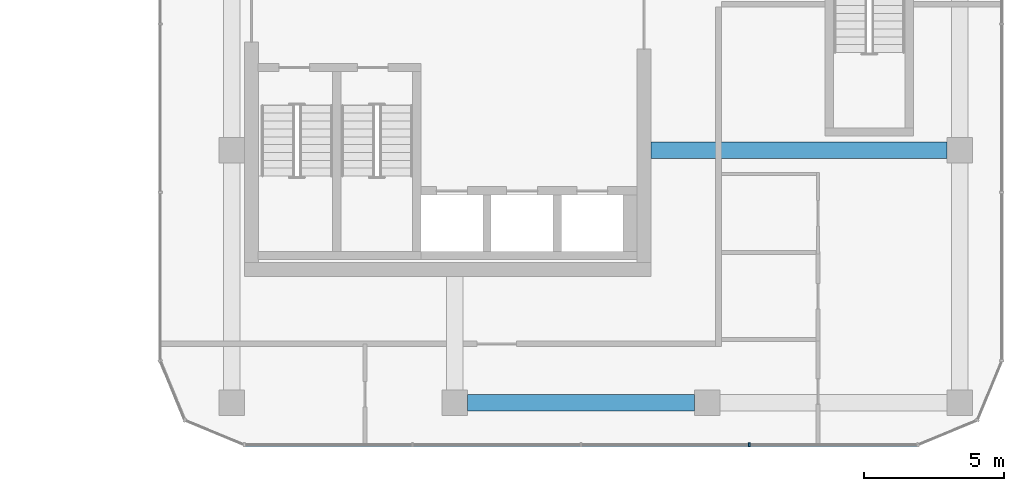
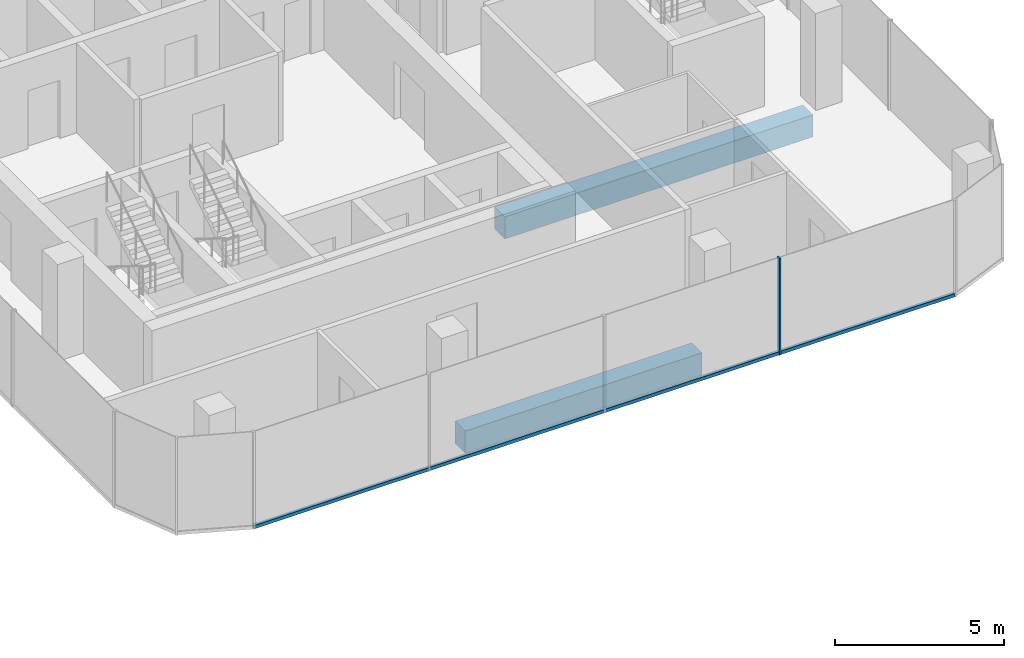
# One storey, part 9 of 24: 2 beams, 2 members, 1 element without a shape of its own.
"""IFC4 building model written with IfcOpenShell, lengths in metres."""

from ifc_helpers import new_model, si_unit, direction, frame, origin, origin_2d, place, context, subcontext, project, spatial, rectangle, extrude, material, layer, layer_set, material_profile, profile_set, type_object, element, aggregate, save


model = new_model("IFC4")

# Units and contexts
model_context = context("Model", 3, precision=1e-05, world=origin(), true_north=direction((0.0, 1.0)))
body_context = subcontext(model_context, "Body", "Model", "MODEL_VIEW")
ifc_project = project(units=[si_unit("LENGTHUNIT", "METRE"), si_unit("AREAUNIT", "SQUARE_METRE"), si_unit("VOLUMEUNIT", "CUBIC_METRE"), si_unit("PLANEANGLEUNIT", "RADIAN"), si_unit("MASSUNIT", "GRAM", prefix="KILO")], contexts=[model_context])

# Site, building, storey
site_placement = place(None, origin())
site = spatial("IfcSite", under=ifc_project, at=site_placement, CompositionType="ELEMENT")
building_placement = place(site_placement, origin())
building = spatial("IfcBuilding", under=site, at=building_placement, Name="Plateau Cross Towers", CompositionType="ELEMENT")
storey_placement = place(building_placement, frame((0.0, 0.0, 51.300048828125)))
storey = spatial("IfcBuildingStorey", under=building, at=storey_placement, Name="L12", CompositionType="ELEMENT", Elevation=51.300048828125)

# Beam
ifc_material_1 = material(Name="Concrete C60/75", Category="concrete")
ifc_material_profile_1 = material_profile(ifc_material_1, rectangle(XDim=0.60009765625, YDim=0.800048828125, at=origin_2d()), Name="RC 600x800")
ifc_profile_set_1 = profile_set([ifc_material_profile_1], Name="Concrete C60/75")
beam_type_1 = type_object("IfcBeamType", Name="Core beam RC 600x800", PredefinedType="BEAM", material=ifc_profile_set_1)
beam_1_placement = place(storey_placement, frame((89.5, 4.5, -0.650146484375), z_axis=(1.0, 0.0, 0.0), x_axis=(0.0, 1.0, 0.0)))
element("IfcBeam", 1, at=beam_1_placement, inside=storey, type_object=beam_type_1, Name="B-CB02@L12", PredefinedType="BEAM", context=body_context, shape_type="SweptSolid", body=[
    extrude(rectangle(XDim=0.60009765625, YDim=0.800048828125, at=origin_2d()), origin(), (0.0, 0.0, 1.0), 10.550048828125),
])

# Curtain wall, member
ifc_material_2 = material(Name="Dark low-iron glass", Category="glass")
ifc_layer = layer(ifc_material_2, 0.239990234375)
ifc_layer_set = layer_set([ifc_layer], Name="Dark low-iron glass")
curtain_wall_type = type_object("IfcCurtainWallType", Name="Curtain wall office unitised CW-F", PredefinedType="NOTDEFINED", material=ifc_layer_set)
curtain_wall_placement = place(storey_placement, origin())
curtain_wall = element("IfcCurtainWall", 2, at=curtain_wall_placement, inside=storey, type_object=curtain_wall_type, Name="ENV/B/L12/B750_-60", PredefinedType="NOTDEFINED")
ifc_material_3 = material(Name="Black anodised aluminium", Category="aluminium")
ifc_material_profile_2 = material_profile(ifc_material_3, rectangle(XDim=0.06005859375, YDim=0.139892578125, at=origin_2d()), Name="MULLION 60x140")
ifc_profile_set_2 = profile_set([ifc_material_profile_2], Name="Black anodised aluminium")
member_type_1 = type_object("IfcMemberType", Name="Mullion 60x140 office unitised", PredefinedType="MULLION", material=ifc_profile_set_2)
member_1_placement = place(storey_placement, frame((93.0, -6.0, -0.25), z_axis=(0.0, 0.0, 1.0), x_axis=(1.0, 0.0, 0.0)))
member_1 = element("IfcMember", 3, at=member_1_placement, type_object=member_type_1, Name="CW-F mullion 4", PredefinedType="MULLION", context=body_context, shape_type="SweptSolid", body=[
    extrude(rectangle(XDim=0.06005859375, YDim=0.139892578125, at=origin_2d()), origin(), (0.0, 0.0, 1.0), 3.5),
])

# Beam
ifc_material_profile_3 = material_profile(ifc_material_1, rectangle(XDim=0.60009765625, YDim=0.800048828125, at=origin_2d()), Name="RC 600x800")
ifc_profile_set_3 = profile_set([ifc_material_profile_3], Name="Concrete C60/75")
beam_type_2 = type_object("IfcBeamType", Name="Ring beam RC 600x800", PredefinedType="BEAM", material=ifc_profile_set_3)
beam_2_placement = place(storey_placement, frame((82.949951171875, -4.5, -0.650146484375), z_axis=(1.0, 0.0, 0.0), x_axis=(0.0, 1.0, 0.0)))
element("IfcBeam", 4, at=beam_2_placement, inside=storey, type_object=beam_type_2, Name="B-RB01@L12", PredefinedType="BEAM", context=body_context, shape_type="SweptSolid", body=[
    extrude(rectangle(XDim=0.60009765625, YDim=0.800048828125, at=origin_2d()), origin(), (0.0, 0.0, 1.0), 8.10009765625),
])

# Member
ifc_material_profile_4 = material_profile(ifc_material_3, rectangle(XDim=0.10009765625, YDim=0.1201171875, at=origin_2d()), Name="TRANSOM 100x120")
ifc_profile_set_4 = profile_set([ifc_material_profile_4], Name="Black anodised aluminium")
member_type_2 = type_object("IfcMemberType", Name="Transom 100x120 office unitised", PredefinedType="USERDEFINED", material=ifc_profile_set_4)
member_2_placement = place(storey_placement, frame((75.0, -6.0, -0.18994140625), z_axis=(1.0, 0.0, 0.0), x_axis=(0.0, 1.0, 0.0)))
member_2 = element("IfcMember", 5, at=member_2_placement, type_object=member_type_2, Name="CW-F transom", ObjectType="TRANSOM", PredefinedType="USERDEFINED", context=body_context, shape_type="SweptSolid", body=[
    extrude(rectangle(XDim=0.10009765625, YDim=0.1201171875, at=origin_2d()), origin(), (0.0, 0.0, 1.0), 24.0),
])

aggregate(curtain_wall, [member_1, member_2])

save(model, "model.ifc")
